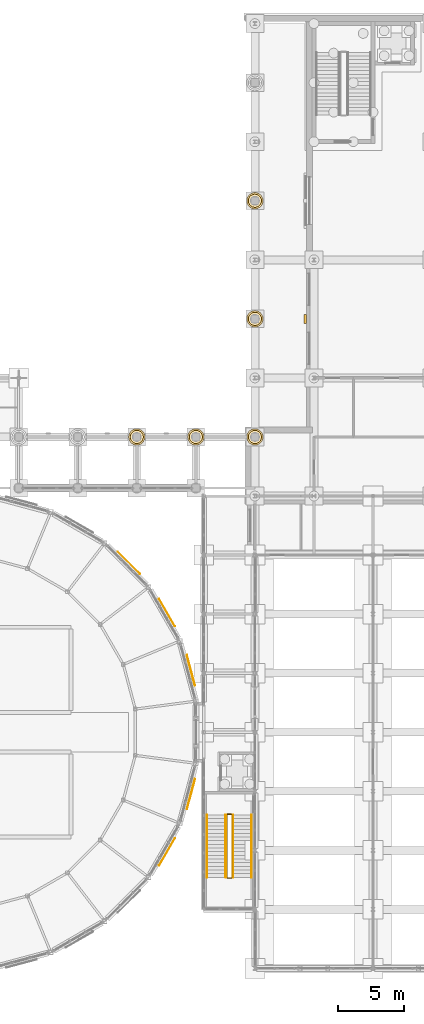
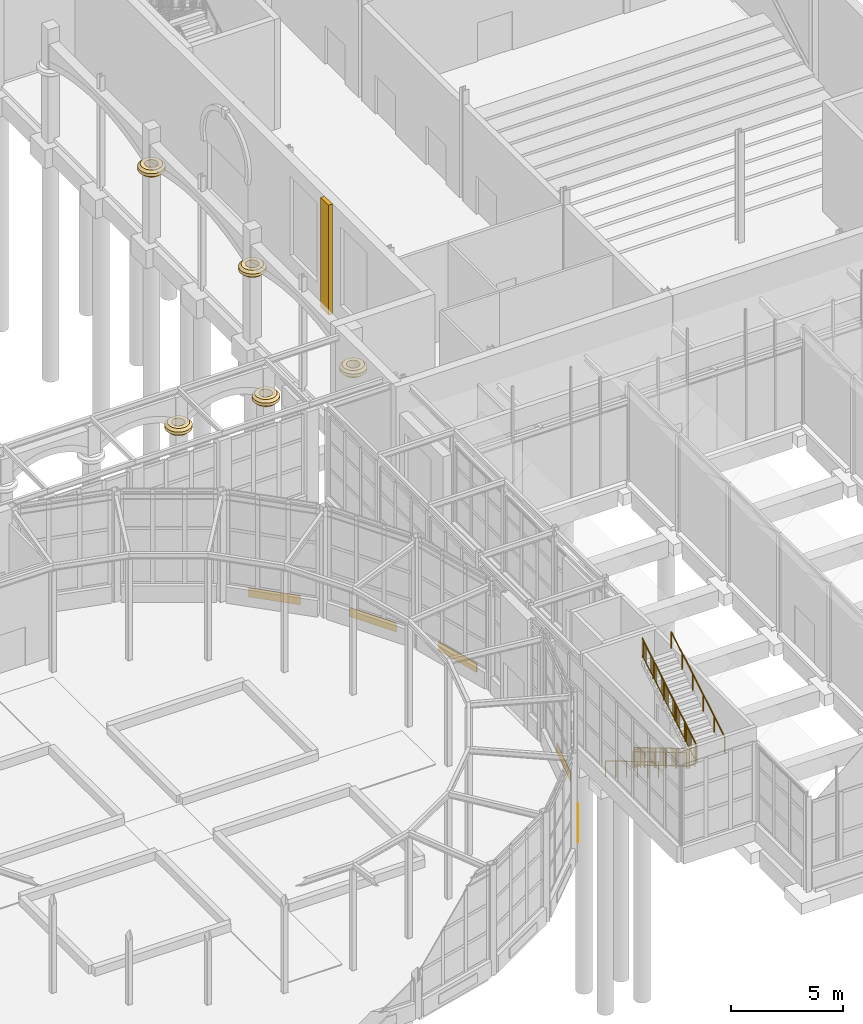
# One storey, part 96 of 106: 11 coverings, 8 railings.
"""IFC4 building model written with IfcOpenShell, lengths in metres."""

from ifc_helpers import new_model, entity, si_unit, direction, frame, origin, origin_2d, place, context, subcontext, project, spatial, rectangle, circle, extrude, material, layer, layer_set, type_object, element, save


model = new_model("IFC4")

# Units and contexts
model_context = context("Model", 3, precision=1e-05, world=origin(), true_north=direction((0.0, 1.0)))
body_context = subcontext(model_context, "Body", "Model", "MODEL_VIEW")
ifc_project = project(units=[si_unit("LENGTHUNIT", "METRE"), si_unit("AREAUNIT", "SQUARE_METRE"), si_unit("VOLUMEUNIT", "CUBIC_METRE"), si_unit("PLANEANGLEUNIT", "RADIAN"), si_unit("MASSUNIT", "GRAM", prefix="KILO")], contexts=[model_context])

# Site, building, storey
site_placement = place(None, origin())
site = spatial("IfcSite", under=ifc_project, at=site_placement, CompositionType="ELEMENT")
building_placement = place(site_placement, origin())
building = spatial("IfcBuilding", under=site, at=building_placement, Name="Hortulan Conservatory and Botanical Research Centre", CompositionType="ELEMENT")
storey_placement = place(building_placement, origin())
storey = spatial("IfcBuildingStorey", under=building, at=storey_placement, Name="L00", CompositionType="ELEMENT", Elevation=0.0)

# Coverings
ifc_material_1 = material(Name="Sandstone masonry (Hawkesbury yellow block)", Category="masonry")
covering_type_1 = type_object("IfcCoveringType", Name="Sandstone Mushroom Capital 1240", PredefinedType="CLADDING", material=ifc_material_1)
covering_1_placement = place(storey_placement, origin())
cartesian_point_1 = entity("IfcCartesianPoint", [0.300048828125, 0.0])
element("IfcCovering", 1, at=covering_1_placement, inside=storey, type_object=covering_type_1, Name="Mushroom capital", PredefinedType="CLADDING", context=body_context, shape_type="SweptSolid", body=[
    entity("IfcRevolvedAreaSolid", entity("IfcArbitraryClosedProfileDef", "AREA", None, entity("IfcPolyline", [cartesian_point_1, entity("IfcCartesianPoint", [0.5, 0.0]), entity("IfcCartesianPoint", [0.6201171875, 0.1201171875]), entity("IfcCartesianPoint", [0.6201171875, 0.280029296875]), entity("IfcCartesianPoint", [0.5, 0.39990234375]), entity("IfcCartesianPoint", [0.300048828125, 0.39990234375]), cartesian_point_1])), entity("IfcAxis2Placement3D", entity("IfcCartesianPoint", [67.5, 40.5, 3.5]), entity("IfcDirection", [0.0, -1.0, 0.0]), entity("IfcDirection", [1.0, 0.0, 0.0])), entity("IfcAxis1Placement", entity("IfcCartesianPoint", [0.0, 0.0, 0.0]), entity("IfcDirection", [0.0, 1.0, 0.0])), 6.283185307179586),
])
covering_2_placement = place(storey_placement, origin())
cartesian_point_2 = entity("IfcCartesianPoint", [0.300048828125, 0.0])
element("IfcCovering", 2, at=covering_2_placement, inside=storey, type_object=covering_type_1, Name="Mushroom capital", PredefinedType="CLADDING", context=body_context, shape_type="SweptSolid", body=[
    entity("IfcRevolvedAreaSolid", entity("IfcArbitraryClosedProfileDef", "AREA", None, entity("IfcPolyline", [cartesian_point_2, entity("IfcCartesianPoint", [0.5, 0.0]), entity("IfcCartesianPoint", [0.6201171875, 0.1201171875]), entity("IfcCartesianPoint", [0.6201171875, 0.280029296875]), entity("IfcCartesianPoint", [0.5, 0.39990234375]), entity("IfcCartesianPoint", [0.300048828125, 0.39990234375]), cartesian_point_2])), entity("IfcAxis2Placement3D", entity("IfcCartesianPoint", [72.0, 40.5, 3.5]), entity("IfcDirection", [0.0, -1.0, 0.0]), entity("IfcDirection", [1.0, 0.0, 0.0])), entity("IfcAxis1Placement", entity("IfcCartesianPoint", [0.0, 0.0, 0.0]), entity("IfcDirection", [0.0, 1.0, 0.0])), 6.283185307179586),
])
covering_3_placement = place(storey_placement, origin())
cartesian_point_3 = entity("IfcCartesianPoint", [0.300048828125, 0.0])
element("IfcCovering", 3, at=covering_3_placement, inside=storey, type_object=covering_type_1, Name="Mushroom capital", PredefinedType="CLADDING", context=body_context, shape_type="SweptSolid", body=[
    entity("IfcRevolvedAreaSolid", entity("IfcArbitraryClosedProfileDef", "AREA", None, entity("IfcPolyline", [cartesian_point_3, entity("IfcCartesianPoint", [0.5, 0.0]), entity("IfcCartesianPoint", [0.6201171875, 0.1201171875]), entity("IfcCartesianPoint", [0.6201171875, 0.280029296875]), entity("IfcCartesianPoint", [0.5, 0.39990234375]), entity("IfcCartesianPoint", [0.300048828125, 0.39990234375]), cartesian_point_3])), entity("IfcAxis2Placement3D", entity("IfcCartesianPoint", [76.5, 40.5, 3.5]), entity("IfcDirection", [0.0, -1.0, 0.0]), entity("IfcDirection", [1.0, 0.0, 0.0])), entity("IfcAxis1Placement", entity("IfcCartesianPoint", [0.0, 0.0, 0.0]), entity("IfcDirection", [0.0, 1.0, 0.0])), 6.283185307179586),
])
covering_4_placement = place(storey_placement, origin())
cartesian_point_4 = entity("IfcCartesianPoint", [0.300048828125, 0.0])
element("IfcCovering", 4, at=covering_4_placement, inside=storey, type_object=covering_type_1, Name="Mushroom capital", PredefinedType="CLADDING", context=body_context, shape_type="SweptSolid", body=[
    entity("IfcRevolvedAreaSolid", entity("IfcArbitraryClosedProfileDef", "AREA", None, entity("IfcPolyline", [cartesian_point_4, entity("IfcCartesianPoint", [0.5, 0.0]), entity("IfcCartesianPoint", [0.6201171875, 0.1201171875]), entity("IfcCartesianPoint", [0.6201171875, 0.280029296875]), entity("IfcCartesianPoint", [0.5, 0.39990234375]), entity("IfcCartesianPoint", [0.300048828125, 0.39990234375]), cartesian_point_4])), entity("IfcAxis2Placement3D", entity("IfcCartesianPoint", [76.5, 49.5, 3.5]), entity("IfcDirection", [0.0, -1.0, 0.0]), entity("IfcDirection", [1.0, 0.0, 0.0])), entity("IfcAxis1Placement", entity("IfcCartesianPoint", [0.0, 0.0, 0.0]), entity("IfcDirection", [0.0, 1.0, 0.0])), 6.283185307179586),
])
covering_5_placement = place(storey_placement, origin())
cartesian_point_5 = entity("IfcCartesianPoint", [0.300048828125, 0.0])
element("IfcCovering", 5, at=covering_5_placement, inside=storey, type_object=covering_type_1, Name="Mushroom capital", PredefinedType="CLADDING", context=body_context, shape_type="SweptSolid", body=[
    entity("IfcRevolvedAreaSolid", entity("IfcArbitraryClosedProfileDef", "AREA", None, entity("IfcPolyline", [cartesian_point_5, entity("IfcCartesianPoint", [0.5, 0.0]), entity("IfcCartesianPoint", [0.6201171875, 0.1201171875]), entity("IfcCartesianPoint", [0.6201171875, 0.280029296875]), entity("IfcCartesianPoint", [0.5, 0.39990234375]), entity("IfcCartesianPoint", [0.300048828125, 0.39990234375]), cartesian_point_5])), entity("IfcAxis2Placement3D", entity("IfcCartesianPoint", [76.5, 58.5, 3.5]), entity("IfcDirection", [0.0, -1.0, 0.0]), entity("IfcDirection", [1.0, 0.0, 0.0])), entity("IfcAxis1Placement", entity("IfcCartesianPoint", [0.0, 0.0, 0.0]), entity("IfcDirection", [0.0, 1.0, 0.0])), 6.283185307179586),
])
ifc_layer_1 = layer(ifc_material_1, 0.199951171875)
ifc_layer_set_1 = layer_set([ifc_layer_1], Name="Sandstone Pilaster 700x200")
covering_type_2 = type_object("IfcCoveringType", Name="Sandstone Pilaster 700x200", PredefinedType="CLADDING", material=ifc_layer_set_1)
covering_6_placement = place(storey_placement, frame((80.322021484375, 49.5, 0.0), z_axis=(0.0, 0.0, 1.0), x_axis=(0.0, 1.0, 0.0)))
element("IfcCovering", 6, at=covering_6_placement, inside=storey, type_object=covering_type_2, Name="Pier", PredefinedType="CLADDING", context=body_context, shape_type="SweptSolid", body=[
    extrude(rectangle(XDim=0.699951171875, YDim=0.199951171875, at=origin_2d()), origin(), (0.0, 0.0, 1.0), 6.0),
])
ifc_layer_2 = layer(ifc_material_1, 0.0400390625)
ifc_layer_set_2 = layer_set([ifc_layer_2], Name="Sandstone Relief Panel 40")
covering_type_3 = type_object("IfcCoveringType", Name="Sandstone Relief Panel 40", PredefinedType="CLADDING", material=ifc_layer_set_2)
for number, where, z_axis, x_axis, name in (
    (7, (71.623291015625, 22.722412109375, 0.199951171875), (0.0, 0.0, 1.0), (0.258822416818, -0.965924922834, 0.0), "Relief panel"),
    (8, (69.80078125, 27.12255859375, 0.199951171875), (0.0, 0.0, 1.0), (0.499981861897, -0.86603587557, 0.0), "Relief panel"),
    (9, (66.901123046875, 30.901123046875, 0.199951171875), (0.0, 0.0, 1.0), (0.707106781187, -0.707106781187, 0.0), "Relief panel"),
    (10, (69.80078125, 8.87744140625, 0.199951171875), (0.0, 0.0, 1.0), (-0.499981861897, -0.86603587557, 0.0), "Relief panel"),
    (11, (71.623291015625, 13.277587890625, 0.199951171875), (0.0, 0.0, 1.0), (-0.258822416818, -0.965924922834, 0.0), "Relief panel"),
):
    element("IfcCovering", number, at=place(storey_placement, frame(where, z_axis=z_axis, x_axis=x_axis)), inside=storey, type_object=covering_type_3, Name=name, PredefinedType="CLADDING", context=body_context, shape_type="SweptSolid", body=[
        extrude(rectangle(XDim=2.39990234375, YDim=0.0400390625, at=origin_2d()), origin(), (0.0, 0.0, 1.0), 0.5),
    ])

# Railings
ifc_material_2 = material(Name="Steel balustrade, bronze-charcoal paint", Category="steel")
railing_type_1 = type_object("IfcRailingType", Name="Stair Guard 1100", PredefinedType="GUARDRAIL", material=ifc_material_2)
railing_1_placement = place(storey_placement, frame((74.35009765625, 11.699951171875, 0.166748046875)))
element("IfcRailing", 12, at=railing_1_placement, inside=storey, type_object=railing_type_1, Name="Guard SHE L00 stair 1", PredefinedType="GUARDRAIL", context=body_context, shape_type="SweptSolid", body=[
    extrude(circle(Radius=0.02392578125, at=origin_2d()), frame((0.0, 0.0, 1.076171875), z_axis=(0.0, -0.859299802514, 0.511472237174), x_axis=(1.0, 0.0, 0.0)), (0.0, 0.0, 1.0), 5.539306640625),
    extrude(circle(Radius=0.02392578125, at=origin_2d()), frame((0.0, 0.0, 0.1240234375), z_axis=(0.0, -0.859299802514, 0.511472237174), x_axis=(1.0, 0.0, 0.0)), (0.0, 0.0, 1.0), 5.539306640625),
    extrude(circle(Radius=0.008056640625, at=origin_2d()), frame((0.0, -0.09326171875, 0.203857421875)), (0.0, 0.0, 1.0), 0.90380859375),
    extrude(circle(Radius=0.008056640625, at=origin_2d()), frame((0.0, -0.186767578125, 0.25927734375)), (0.0, 0.0, 1.0), 0.90380859375),
    extrude(circle(Radius=0.008056640625, at=origin_2d()), frame((0.0, -0.280029296875, 0.31494140625)), (0.0, 0.0, 1.0), 0.90380859375),
    extrude(circle(Radius=0.008056640625, at=origin_2d()), frame((0.0, -0.373291015625, 0.370361328125)), (0.0, 0.0, 1.0), 0.90380859375),
    extrude(circle(Radius=0.008056640625, at=origin_2d()), frame((0.0, -0.466552734375, 0.426025390625)), (0.0, 0.0, 1.0), 0.90380859375),
    extrude(circle(Radius=0.008056640625, at=origin_2d()), frame((0.0, -0.56005859375, 0.4814453125)), (0.0, 0.0, 1.0), 0.90380859375),
    extrude(circle(Radius=0.008056640625, at=origin_2d()), frame((0.0, -0.6533203125, 0.537109375)), (0.0, 0.0, 1.0), 0.90380859375),
    extrude(circle(Radius=0.008056640625, at=origin_2d()), frame((0.0, -0.74658203125, 0.592529296875)), (0.0, 0.0, 1.0), 0.90380859375),
    extrude(circle(Radius=0.008056640625, at=origin_2d()), frame((0.0, -0.840087890625, 0.648193359375)), (0.0, 0.0, 1.0), 0.90380859375),
    extrude(circle(Radius=0.008056640625, at=origin_2d()), frame((0.0, -0.933349609375, 0.70361328125)), (0.0, 0.0, 1.0), 0.90380859375),
    extrude(circle(Radius=0.008056640625, at=origin_2d()), frame((0.0, -1.026611328125, 0.75927734375)), (0.0, 0.0, 1.0), 0.90380859375),
    extrude(circle(Radius=0.008056640625, at=origin_2d()), frame((0.0, -1.1201171875, 0.81494140625)), (0.0, 0.0, 1.0), 0.90380859375),
    extrude(circle(Radius=0.008056640625, at=origin_2d()), frame((0.0, -1.21337890625, 0.870361328125)), (0.0, 0.0, 1.0), 0.90380859375),
    extrude(circle(Radius=0.008056640625, at=origin_2d()), frame((0.0, -1.306640625, 0.926025390625)), (0.0, 0.0, 1.0), 0.90380859375),
    extrude(circle(Radius=0.008056640625, at=origin_2d()), frame((0.0, -1.39990234375, 0.9814453125)), (0.0, 0.0, 1.0), 0.90380859375),
    extrude(circle(Radius=0.008056640625, at=origin_2d()), frame((0.0, -1.493408203125, 1.037109375)), (0.0, 0.0, 1.0), 0.90380859375),
    extrude(circle(Radius=0.008056640625, at=origin_2d()), frame((0.0, -1.586669921875, 1.092529296875)), (0.0, 0.0, 1.0), 0.90380859375),
    extrude(circle(Radius=0.008056640625, at=origin_2d()), frame((0.0, -1.679931640625, 1.148193359375)), (0.0, 0.0, 1.0), 0.90380859375),
    extrude(circle(Radius=0.008056640625, at=origin_2d()), frame((0.0, -1.7734375, 1.20361328125)), (0.0, 0.0, 1.0), 0.90380859375),
    extrude(circle(Radius=0.008056640625, at=origin_2d()), frame((0.0, -1.86669921875, 1.25927734375)), (0.0, 0.0, 1.0), 0.90380859375),
    extrude(circle(Radius=0.008056640625, at=origin_2d()), frame((0.0, -1.9599609375, 1.31494140625)), (0.0, 0.0, 1.0), 0.90380859375),
    extrude(circle(Radius=0.008056640625, at=origin_2d()), frame((0.0, -2.05322265625, 1.370361328125)), (0.0, 0.0, 1.0), 0.90380859375),
    extrude(circle(Radius=0.008056640625, at=origin_2d()), frame((0.0, -2.146728515625, 1.426025390625)), (0.0, 0.0, 1.0), 0.90380859375),
    extrude(circle(Radius=0.008056640625, at=origin_2d()), frame((0.0, -2.239990234375, 1.4814453125)), (0.0, 0.0, 1.0), 0.90380859375),
    extrude(circle(Radius=0.008056640625, at=origin_2d()), frame((0.0, -2.333251953125, 1.537109375)), (0.0, 0.0, 1.0), 0.90380859375),
    extrude(circle(Radius=0.008056640625, at=origin_2d()), frame((0.0, -2.4267578125, 1.592529296875)), (0.0, 0.0, 1.0), 0.90380859375),
    extrude(circle(Radius=0.008056640625, at=origin_2d()), frame((0.0, -2.52001953125, 1.648193359375)), (0.0, 0.0, 1.0), 0.90380859375),
    extrude(circle(Radius=0.008056640625, at=origin_2d()), frame((0.0, -2.61328125, 1.70361328125)), (0.0, 0.0, 1.0), 0.90380859375),
    extrude(circle(Radius=0.008056640625, at=origin_2d()), frame((0.0, -2.706787109375, 1.75927734375)), (0.0, 0.0, 1.0), 0.90380859375),
    extrude(circle(Radius=0.008056640625, at=origin_2d()), frame((0.0, -2.800048828125, 1.814697265625)), (0.0, 0.0, 1.0), 0.90380859375),
    extrude(circle(Radius=0.008056640625, at=origin_2d()), frame((0.0, -2.893310546875, 1.870361328125)), (0.0, 0.0, 1.0), 0.90380859375),
    extrude(circle(Radius=0.008056640625, at=origin_2d()), frame((0.0, -2.986572265625, 1.926025390625)), (0.0, 0.0, 1.0), 0.90380859375),
    extrude(circle(Radius=0.008056640625, at=origin_2d()), frame((0.0, -3.080078125, 1.9814453125)), (0.0, 0.0, 1.0), 0.90380859375),
    extrude(circle(Radius=0.008056640625, at=origin_2d()), frame((0.0, -3.17333984375, 2.037109375)), (0.0, 0.0, 1.0), 0.90380859375),
    extrude(circle(Radius=0.008056640625, at=origin_2d()), frame((0.0, -3.2666015625, 2.092529296875)), (0.0, 0.0, 1.0), 0.90380859375),
    extrude(circle(Radius=0.008056640625, at=origin_2d()), frame((0.0, -3.360107421875, 2.148193359375)), (0.0, 0.0, 1.0), 0.90380859375),
    extrude(circle(Radius=0.008056640625, at=origin_2d()), frame((0.0, -3.453369140625, 2.20361328125)), (0.0, 0.0, 1.0), 0.90380859375),
    extrude(circle(Radius=0.008056640625, at=origin_2d()), frame((0.0, -3.546630859375, 2.25927734375)), (0.0, 0.0, 1.0), 0.90380859375),
    extrude(circle(Radius=0.008056640625, at=origin_2d()), frame((0.0, -3.639892578125, 2.314697265625)), (0.0, 0.0, 1.0), 0.90380859375),
    extrude(circle(Radius=0.008056640625, at=origin_2d()), frame((0.0, -3.7333984375, 2.370361328125)), (0.0, 0.0, 1.0), 0.90380859375),
    extrude(circle(Radius=0.008056640625, at=origin_2d()), frame((0.0, -3.82666015625, 2.426025390625)), (0.0, 0.0, 1.0), 0.90380859375),
    extrude(circle(Radius=0.008056640625, at=origin_2d()), frame((0.0, -3.919921875, 2.4814453125)), (0.0, 0.0, 1.0), 0.90380859375),
    extrude(circle(Radius=0.008056640625, at=origin_2d()), frame((0.0, -4.013427734375, 2.537109375)), (0.0, 0.0, 1.0), 0.90380859375),
    extrude(circle(Radius=0.008056640625, at=origin_2d()), frame((0.0, -4.106689453125, 2.592529296875)), (0.0, 0.0, 1.0), 0.90380859375),
    extrude(circle(Radius=0.008056640625, at=origin_2d()), frame((0.0, -4.199951171875, 2.648193359375)), (0.0, 0.0, 1.0), 0.90380859375),
    extrude(circle(Radius=0.008056640625, at=origin_2d()), frame((0.0, -4.29345703125, 2.70361328125)), (0.0, 0.0, 1.0), 0.90380859375),
    extrude(circle(Radius=0.008056640625, at=origin_2d()), frame((0.0, -4.38671875, 2.75927734375)), (0.0, 0.0, 1.0), 0.90380859375),
    extrude(circle(Radius=0.008056640625, at=origin_2d()), frame((0.0, -4.47998046875, 2.814697265625)), (0.0, 0.0, 1.0), 0.90380859375),
    extrude(circle(Radius=0.008056640625, at=origin_2d()), frame((0.0, -4.5732421875, 2.870361328125)), (0.0, 0.0, 1.0), 0.90380859375),
    extrude(circle(Radius=0.008056640625, at=origin_2d()), frame((0.0, -4.666748046875, 2.92578125)), (0.0, 0.0, 1.0), 0.90380859375),
    extrude(circle(Radius=0.02099609375, at=origin_2d()), origin(), (0.0, 0.0, 1.0), 1.052001953125),
    extrude(circle(Radius=0.02099609375, at=origin_2d()), frame((0.0, -0.951904296875, 0.566650390625)), (0.0, 0.0, 1.0), 1.052001953125),
    extrude(circle(Radius=0.02099609375, at=origin_2d()), frame((0.0, -1.904052734375, 1.13330078125)), (0.0, 0.0, 1.0), 1.052001953125),
    extrude(circle(Radius=0.02099609375, at=origin_2d()), frame((0.0, -2.85595703125, 1.699951171875)), (0.0, 0.0, 1.0), 1.052001953125),
    extrude(circle(Radius=0.02099609375, at=origin_2d()), frame((0.0, -3.80810546875, 2.2666015625)), (0.0, 0.0, 1.0), 1.052001953125),
    extrude(circle(Radius=0.02099609375, at=origin_2d()), frame((0.0, -4.760009765625, 2.833251953125)), (0.0, 0.0, 1.0), 1.052001953125),
])
railing_2_placement = place(storey_placement, frame((74.39990234375, 6.889892578125, 3.0)))
element("IfcRailing", 13, at=railing_2_placement, inside=storey, type_object=railing_type_1, Name="Guard SHE L00 stair 2", PredefinedType="GUARDRAIL", context=body_context, shape_type="SweptSolid", body=[
    extrude(circle(Radius=0.02392578125, at=origin_2d()), frame((0.0, 0.0, 1.076171875), z_axis=(1.0, 0.0, 0.0), x_axis=(0.0, 1.0, 0.0)), (0.0, 0.0, 1.0), 0.300048828125),
    extrude(circle(Radius=0.02392578125, at=origin_2d()), frame((0.0, 0.0, 0.1240234375), z_axis=(1.0, 0.0, 0.0), x_axis=(0.0, 1.0, 0.0)), (0.0, 0.0, 1.0), 0.300048828125),
    extrude(circle(Radius=0.008056640625, at=origin_2d()), frame((0.10009765625, 0.0, 0.148193359375)), (0.0, 0.0, 1.0), 0.90380859375),
    extrude(circle(Radius=0.008056640625, at=origin_2d()), frame((0.199951171875, 0.0, 0.148193359375)), (0.0, 0.0, 1.0), 0.90380859375),
    extrude(circle(Radius=0.02099609375, at=origin_2d()), origin(), (0.0, 0.0, 1.0), 1.052001953125),
    extrude(circle(Radius=0.02099609375, at=origin_2d()), frame((0.300048828125, 0.0, 0.0)), (0.0, 0.0, 1.0), 1.052001953125),
])
railing_3_placement = place(storey_placement, frame((74.75, 6.93994140625, 3.166748046875)))
element("IfcRailing", 14, at=railing_3_placement, inside=storey, type_object=railing_type_1, Name="Guard SHE L00 stair 3", PredefinedType="GUARDRAIL", context=body_context, shape_type="SweptSolid", body=[
    extrude(circle(Radius=0.02392578125, at=origin_2d()), frame((0.0, 0.0, 1.076171875), z_axis=(0.0, 0.859299802514, 0.511472237174), x_axis=(-1.0, 0.0, 0.0)), (0.0, 0.0, 1.0), 5.539306640625),
    extrude(circle(Radius=0.02392578125, at=origin_2d()), frame((0.0, 0.0, 0.1240234375), z_axis=(0.0, 0.859299802514, 0.511472237174), x_axis=(-1.0, 0.0, 0.0)), (0.0, 0.0, 1.0), 5.539306640625),
    extrude(circle(Radius=0.008056640625, at=origin_2d()), frame((0.0, 0.09326171875, 0.203857421875)), (0.0, 0.0, 1.0), 0.90380859375),
    extrude(circle(Radius=0.008056640625, at=origin_2d()), frame((0.0, 0.186767578125, 0.25927734375)), (0.0, 0.0, 1.0), 0.90380859375),
    extrude(circle(Radius=0.008056640625, at=origin_2d()), frame((0.0, 0.280029296875, 0.31494140625)), (0.0, 0.0, 1.0), 0.90380859375),
    extrude(circle(Radius=0.008056640625, at=origin_2d()), frame((0.0, 0.373291015625, 0.370361328125)), (0.0, 0.0, 1.0), 0.90380859375),
    extrude(circle(Radius=0.008056640625, at=origin_2d()), frame((0.0, 0.466552734375, 0.426025390625)), (0.0, 0.0, 1.0), 0.90380859375),
    extrude(circle(Radius=0.008056640625, at=origin_2d()), frame((0.0, 0.56005859375, 0.4814453125)), (0.0, 0.0, 1.0), 0.90380859375),
    extrude(circle(Radius=0.008056640625, at=origin_2d()), frame((0.0, 0.6533203125, 0.537109375)), (0.0, 0.0, 1.0), 0.90380859375),
    extrude(circle(Radius=0.008056640625, at=origin_2d()), frame((0.0, 0.74658203125, 0.592529296875)), (0.0, 0.0, 1.0), 0.90380859375),
    extrude(circle(Radius=0.008056640625, at=origin_2d()), frame((0.0, 0.840087890625, 0.648193359375)), (0.0, 0.0, 1.0), 0.90380859375),
    extrude(circle(Radius=0.008056640625, at=origin_2d()), frame((0.0, 0.933349609375, 0.70361328125)), (0.0, 0.0, 1.0), 0.90380859375),
    extrude(circle(Radius=0.008056640625, at=origin_2d()), frame((0.0, 1.026611328125, 0.75927734375)), (0.0, 0.0, 1.0), 0.90380859375),
    extrude(circle(Radius=0.008056640625, at=origin_2d()), frame((0.0, 1.1201171875, 0.81494140625)), (0.0, 0.0, 1.0), 0.90380859375),
    extrude(circle(Radius=0.008056640625, at=origin_2d()), frame((0.0, 1.21337890625, 0.870361328125)), (0.0, 0.0, 1.0), 0.90380859375),
    extrude(circle(Radius=0.008056640625, at=origin_2d()), frame((0.0, 1.306640625, 0.926025390625)), (0.0, 0.0, 1.0), 0.90380859375),
    extrude(circle(Radius=0.008056640625, at=origin_2d()), frame((0.0, 1.39990234375, 0.9814453125)), (0.0, 0.0, 1.0), 0.90380859375),
    extrude(circle(Radius=0.008056640625, at=origin_2d()), frame((0.0, 1.493408203125, 1.037109375)), (0.0, 0.0, 1.0), 0.90380859375),
    extrude(circle(Radius=0.008056640625, at=origin_2d()), frame((0.0, 1.586669921875, 1.092529296875)), (0.0, 0.0, 1.0), 0.90380859375),
    extrude(circle(Radius=0.008056640625, at=origin_2d()), frame((0.0, 1.679931640625, 1.148193359375)), (0.0, 0.0, 1.0), 0.90380859375),
    extrude(circle(Radius=0.008056640625, at=origin_2d()), frame((0.0, 1.7734375, 1.20361328125)), (0.0, 0.0, 1.0), 0.90380859375),
    extrude(circle(Radius=0.008056640625, at=origin_2d()), frame((0.0, 1.86669921875, 1.25927734375)), (0.0, 0.0, 1.0), 0.90380859375),
    extrude(circle(Radius=0.008056640625, at=origin_2d()), frame((0.0, 1.9599609375, 1.31494140625)), (0.0, 0.0, 1.0), 0.90380859375),
    extrude(circle(Radius=0.008056640625, at=origin_2d()), frame((0.0, 2.05322265625, 1.370361328125)), (0.0, 0.0, 1.0), 0.90380859375),
    extrude(circle(Radius=0.008056640625, at=origin_2d()), frame((0.0, 2.146728515625, 1.426025390625)), (0.0, 0.0, 1.0), 0.90380859375),
    extrude(circle(Radius=0.008056640625, at=origin_2d()), frame((0.0, 2.239990234375, 1.4814453125)), (0.0, 0.0, 1.0), 0.90380859375),
    extrude(circle(Radius=0.008056640625, at=origin_2d()), frame((0.0, 2.333251953125, 1.537109375)), (0.0, 0.0, 1.0), 0.90380859375),
    extrude(circle(Radius=0.008056640625, at=origin_2d()), frame((0.0, 2.4267578125, 1.592529296875)), (0.0, 0.0, 1.0), 0.90380859375),
    extrude(circle(Radius=0.008056640625, at=origin_2d()), frame((0.0, 2.52001953125, 1.648193359375)), (0.0, 0.0, 1.0), 0.90380859375),
    extrude(circle(Radius=0.008056640625, at=origin_2d()), frame((0.0, 2.61328125, 1.70361328125)), (0.0, 0.0, 1.0), 0.90380859375),
    extrude(circle(Radius=0.008056640625, at=origin_2d()), frame((0.0, 2.706787109375, 1.75927734375)), (0.0, 0.0, 1.0), 0.90380859375),
    extrude(circle(Radius=0.008056640625, at=origin_2d()), frame((0.0, 2.800048828125, 1.814697265625)), (0.0, 0.0, 1.0), 0.90380859375),
    extrude(circle(Radius=0.008056640625, at=origin_2d()), frame((0.0, 2.893310546875, 1.870361328125)), (0.0, 0.0, 1.0), 0.90380859375),
    extrude(circle(Radius=0.008056640625, at=origin_2d()), frame((0.0, 2.986572265625, 1.926025390625)), (0.0, 0.0, 1.0), 0.90380859375),
    extrude(circle(Radius=0.008056640625, at=origin_2d()), frame((0.0, 3.080078125, 1.9814453125)), (0.0, 0.0, 1.0), 0.90380859375),
    extrude(circle(Radius=0.008056640625, at=origin_2d()), frame((0.0, 3.17333984375, 2.037109375)), (0.0, 0.0, 1.0), 0.90380859375),
    extrude(circle(Radius=0.008056640625, at=origin_2d()), frame((0.0, 3.2666015625, 2.092529296875)), (0.0, 0.0, 1.0), 0.90380859375),
    extrude(circle(Radius=0.008056640625, at=origin_2d()), frame((0.0, 3.360107421875, 2.148193359375)), (0.0, 0.0, 1.0), 0.90380859375),
    extrude(circle(Radius=0.008056640625, at=origin_2d()), frame((0.0, 3.453369140625, 2.20361328125)), (0.0, 0.0, 1.0), 0.90380859375),
    extrude(circle(Radius=0.008056640625, at=origin_2d()), frame((0.0, 3.546630859375, 2.25927734375)), (0.0, 0.0, 1.0), 0.90380859375),
    extrude(circle(Radius=0.008056640625, at=origin_2d()), frame((0.0, 3.639892578125, 2.314697265625)), (0.0, 0.0, 1.0), 0.90380859375),
    extrude(circle(Radius=0.008056640625, at=origin_2d()), frame((0.0, 3.7333984375, 2.370361328125)), (0.0, 0.0, 1.0), 0.90380859375),
    extrude(circle(Radius=0.008056640625, at=origin_2d()), frame((0.0, 3.82666015625, 2.426025390625)), (0.0, 0.0, 1.0), 0.90380859375),
    extrude(circle(Radius=0.008056640625, at=origin_2d()), frame((0.0, 3.919921875, 2.4814453125)), (0.0, 0.0, 1.0), 0.90380859375),
    extrude(circle(Radius=0.008056640625, at=origin_2d()), frame((0.0, 4.013427734375, 2.537109375)), (0.0, 0.0, 1.0), 0.90380859375),
    extrude(circle(Radius=0.008056640625, at=origin_2d()), frame((0.0, 4.106689453125, 2.592529296875)), (0.0, 0.0, 1.0), 0.90380859375),
    extrude(circle(Radius=0.008056640625, at=origin_2d()), frame((0.0, 4.199951171875, 2.648193359375)), (0.0, 0.0, 1.0), 0.90380859375),
    extrude(circle(Radius=0.008056640625, at=origin_2d()), frame((0.0, 4.29345703125, 2.70361328125)), (0.0, 0.0, 1.0), 0.90380859375),
    extrude(circle(Radius=0.008056640625, at=origin_2d()), frame((0.0, 4.38671875, 2.75927734375)), (0.0, 0.0, 1.0), 0.90380859375),
    extrude(circle(Radius=0.008056640625, at=origin_2d()), frame((0.0, 4.47998046875, 2.814697265625)), (0.0, 0.0, 1.0), 0.90380859375),
    extrude(circle(Radius=0.008056640625, at=origin_2d()), frame((0.0, 4.5732421875, 2.870361328125)), (0.0, 0.0, 1.0), 0.90380859375),
    extrude(circle(Radius=0.008056640625, at=origin_2d()), frame((0.0, 4.666748046875, 2.92578125)), (0.0, 0.0, 1.0), 0.90380859375),
    extrude(circle(Radius=0.02099609375, at=origin_2d()), origin(), (0.0, 0.0, 1.0), 1.052001953125),
    extrude(circle(Radius=0.02099609375, at=origin_2d()), frame((0.0, 0.951904296875, 0.566650390625)), (0.0, 0.0, 1.0), 1.052001953125),
    extrude(circle(Radius=0.02099609375, at=origin_2d()), frame((0.0, 1.904052734375, 1.13330078125)), (0.0, 0.0, 1.0), 1.052001953125),
    extrude(circle(Radius=0.02099609375, at=origin_2d()), frame((0.0, 2.85595703125, 1.699951171875)), (0.0, 0.0, 1.0), 1.052001953125),
    extrude(circle(Radius=0.02099609375, at=origin_2d()), frame((0.0, 3.80810546875, 2.2666015625)), (0.0, 0.0, 1.0), 1.052001953125),
    extrude(circle(Radius=0.02099609375, at=origin_2d()), frame((0.0, 4.760009765625, 2.833251953125)), (0.0, 0.0, 1.0), 1.052001953125),
])
railing_4_placement = place(storey_placement, frame((74.39990234375, 11.75, 0.0)))
element("IfcRailing", 15, at=railing_4_placement, inside=storey, type_object=railing_type_1, Name="Guard SHE L00 stair 4", PredefinedType="GUARDRAIL", context=body_context, shape_type="SweptSolid", body=[
    extrude(circle(Radius=0.02392578125, at=origin_2d()), frame((0.0, 0.0, 1.076171875), z_axis=(1.0, 0.0, 0.0), x_axis=(0.0, 1.0, 0.0)), (0.0, 0.0, 1.0), 0.300048828125),
    extrude(circle(Radius=0.02392578125, at=origin_2d()), frame((0.0, 0.0, 0.1240234375), z_axis=(1.0, 0.0, 0.0), x_axis=(0.0, 1.0, 0.0)), (0.0, 0.0, 1.0), 0.300048828125),
    extrude(circle(Radius=0.008056640625, at=origin_2d()), frame((0.10009765625, 0.0, 0.148193359375)), (0.0, 0.0, 1.0), 0.90380859375),
    extrude(circle(Radius=0.008056640625, at=origin_2d()), frame((0.199951171875, 0.0, 0.148193359375)), (0.0, 0.0, 1.0), 0.90380859375),
    extrude(circle(Radius=0.02099609375, at=origin_2d()), origin(), (0.0, 0.0, 1.0), 1.052001953125),
    extrude(circle(Radius=0.02099609375, at=origin_2d()), frame((0.300048828125, 0.0, 0.0)), (0.0, 0.0, 1.0), 1.052001953125),
])
ifc_material_3 = material(Name="Bronze handrail, polished", Category="metal")
railing_type_2 = type_object("IfcRailingType", Name="Stair Handrail 900", PredefinedType="HANDRAIL", material=ifc_material_3)
railing_5_placement = place(storey_placement, frame((72.85009765625, 11.699951171875, 0.166748046875)))
element("IfcRailing", 16, at=railing_5_placement, inside=storey, type_object=railing_type_2, Name="Handrail SHE L00 stair 1", PredefinedType="HANDRAIL", context=body_context, shape_type="SweptSolid", body=[
    extrude(circle(Radius=0.02392578125, at=origin_2d()), frame((0.0, 0.0, 0.8759765625), z_axis=(0.0, -0.859299802514, 0.511472237174), x_axis=(1.0, 0.0, 0.0)), (0.0, 0.0, 1.0), 5.539306640625),
    extrude(circle(Radius=0.02099609375, at=origin_2d()), origin(), (0.0, 0.0, 1.0), 0.851806640625),
    extrude(circle(Radius=0.02099609375, at=origin_2d()), frame((0.0, -0.951904296875, 0.566650390625)), (0.0, 0.0, 1.0), 0.851806640625),
    extrude(circle(Radius=0.02099609375, at=origin_2d()), frame((0.0, -1.904052734375, 1.13330078125)), (0.0, 0.0, 1.0), 0.851806640625),
    extrude(circle(Radius=0.02099609375, at=origin_2d()), frame((0.0, -2.85595703125, 1.699951171875)), (0.0, 0.0, 1.0), 0.851806640625),
    extrude(circle(Radius=0.02099609375, at=origin_2d()), frame((0.0, -3.80810546875, 2.2666015625)), (0.0, 0.0, 1.0), 0.851806640625),
    extrude(circle(Radius=0.02099609375, at=origin_2d()), frame((0.0, -4.760009765625, 2.833251953125)), (0.0, 0.0, 1.0), 0.851806640625),
])
railing_6_placement = place(storey_placement, frame((76.25, 6.93994140625, 3.166748046875)))
element("IfcRailing", 17, at=railing_6_placement, inside=storey, type_object=railing_type_2, Name="Handrail SHE L00 stair 2", PredefinedType="HANDRAIL", context=body_context, shape_type="SweptSolid", body=[
    extrude(circle(Radius=0.02392578125, at=origin_2d()), frame((0.0, 0.0, 0.8759765625), z_axis=(0.0, 0.859299802514, 0.511472237174), x_axis=(-1.0, 0.0, 0.0)), (0.0, 0.0, 1.0), 5.539306640625),
    extrude(circle(Radius=0.02099609375, at=origin_2d()), origin(), (0.0, 0.0, 1.0), 0.851806640625),
    extrude(circle(Radius=0.02099609375, at=origin_2d()), frame((0.0, 0.951904296875, 0.566650390625)), (0.0, 0.0, 1.0), 0.851806640625),
    extrude(circle(Radius=0.02099609375, at=origin_2d()), frame((0.0, 1.904052734375, 1.13330078125)), (0.0, 0.0, 1.0), 0.851806640625),
    extrude(circle(Radius=0.02099609375, at=origin_2d()), frame((0.0, 2.85595703125, 1.699951171875)), (0.0, 0.0, 1.0), 0.851806640625),
    extrude(circle(Radius=0.02099609375, at=origin_2d()), frame((0.0, 3.80810546875, 2.2666015625)), (0.0, 0.0, 1.0), 0.851806640625),
    extrude(circle(Radius=0.02099609375, at=origin_2d()), frame((0.0, 4.760009765625, 2.833251953125)), (0.0, 0.0, 1.0), 0.851806640625),
])
railing_7_placement = place(storey_placement, frame((74.280029296875, 11.699951171875, 0.166748046875)))
element("IfcRailing", 18, at=railing_7_placement, inside=storey, type_object=railing_type_2, Name="Handrail SHE L00 stair 3", PredefinedType="HANDRAIL", context=body_context, shape_type="SweptSolid", body=[
    extrude(circle(Radius=0.02392578125, at=origin_2d()), frame((0.0, 0.0, 0.8759765625), z_axis=(0.0, -0.859299802514, 0.511472237174), x_axis=(1.0, 0.0, 0.0)), (0.0, 0.0, 1.0), 5.539306640625),
    extrude(circle(Radius=0.02099609375, at=origin_2d()), origin(), (0.0, 0.0, 1.0), 0.851806640625),
    extrude(circle(Radius=0.02099609375, at=origin_2d()), frame((0.0, -0.951904296875, 0.566650390625)), (0.0, 0.0, 1.0), 0.851806640625),
    extrude(circle(Radius=0.02099609375, at=origin_2d()), frame((0.0, -1.904052734375, 1.13330078125)), (0.0, 0.0, 1.0), 0.851806640625),
    extrude(circle(Radius=0.02099609375, at=origin_2d()), frame((0.0, -2.85595703125, 1.699951171875)), (0.0, 0.0, 1.0), 0.851806640625),
    extrude(circle(Radius=0.02099609375, at=origin_2d()), frame((0.0, -3.80810546875, 2.2666015625)), (0.0, 0.0, 1.0), 0.851806640625),
    extrude(circle(Radius=0.02099609375, at=origin_2d()), frame((0.0, -4.760009765625, 2.833251953125)), (0.0, 0.0, 1.0), 0.851806640625),
])
railing_8_placement = place(storey_placement, frame((74.820068359375, 6.93994140625, 3.166748046875)))
element("IfcRailing", 19, at=railing_8_placement, inside=storey, type_object=railing_type_2, Name="Handrail SHE L00 stair 4", PredefinedType="HANDRAIL", context=body_context, shape_type="SweptSolid", body=[
    extrude(circle(Radius=0.02392578125, at=origin_2d()), frame((0.0, 0.0, 0.8759765625), z_axis=(0.0, 0.859299802514, 0.511472237174), x_axis=(-1.0, 0.0, 0.0)), (0.0, 0.0, 1.0), 5.539306640625),
    extrude(circle(Radius=0.02099609375, at=origin_2d()), origin(), (0.0, 0.0, 1.0), 0.851806640625),
    extrude(circle(Radius=0.02099609375, at=origin_2d()), frame((0.0, 0.951904296875, 0.566650390625)), (0.0, 0.0, 1.0), 0.851806640625),
    extrude(circle(Radius=0.02099609375, at=origin_2d()), frame((0.0, 1.904052734375, 1.13330078125)), (0.0, 0.0, 1.0), 0.851806640625),
    extrude(circle(Radius=0.02099609375, at=origin_2d()), frame((0.0, 2.85595703125, 1.699951171875)), (0.0, 0.0, 1.0), 0.851806640625),
    extrude(circle(Radius=0.02099609375, at=origin_2d()), frame((0.0, 3.80810546875, 2.2666015625)), (0.0, 0.0, 1.0), 0.851806640625),
    extrude(circle(Radius=0.02099609375, at=origin_2d()), frame((0.0, 4.760009765625, 2.833251953125)), (0.0, 0.0, 1.0), 0.851806640625),
])

save(model, "model.ifc")
